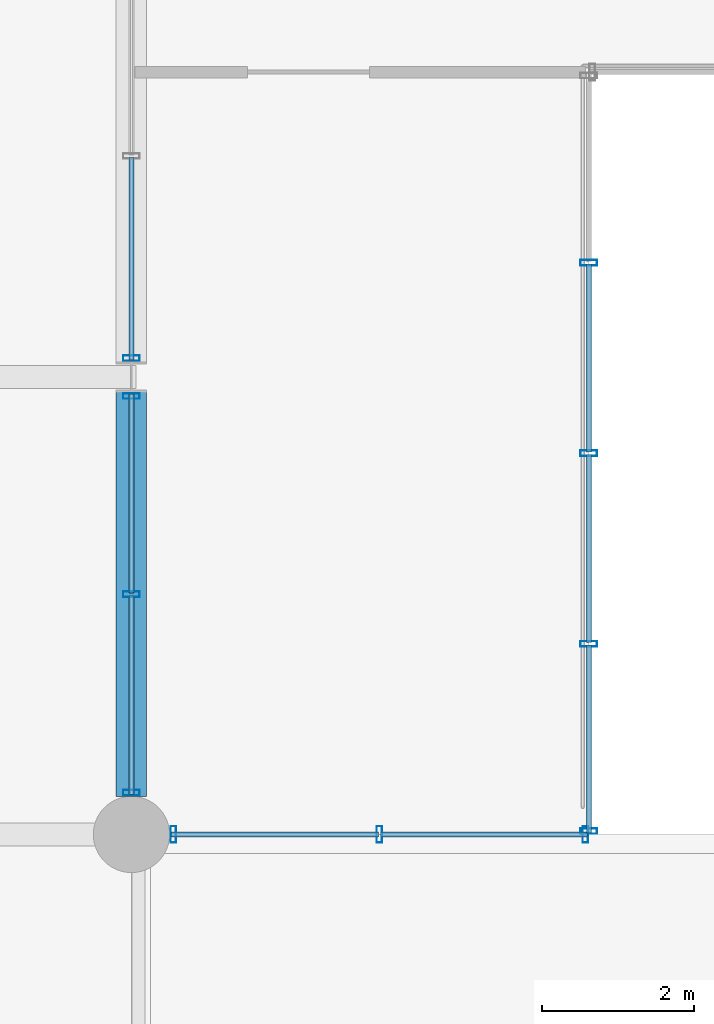
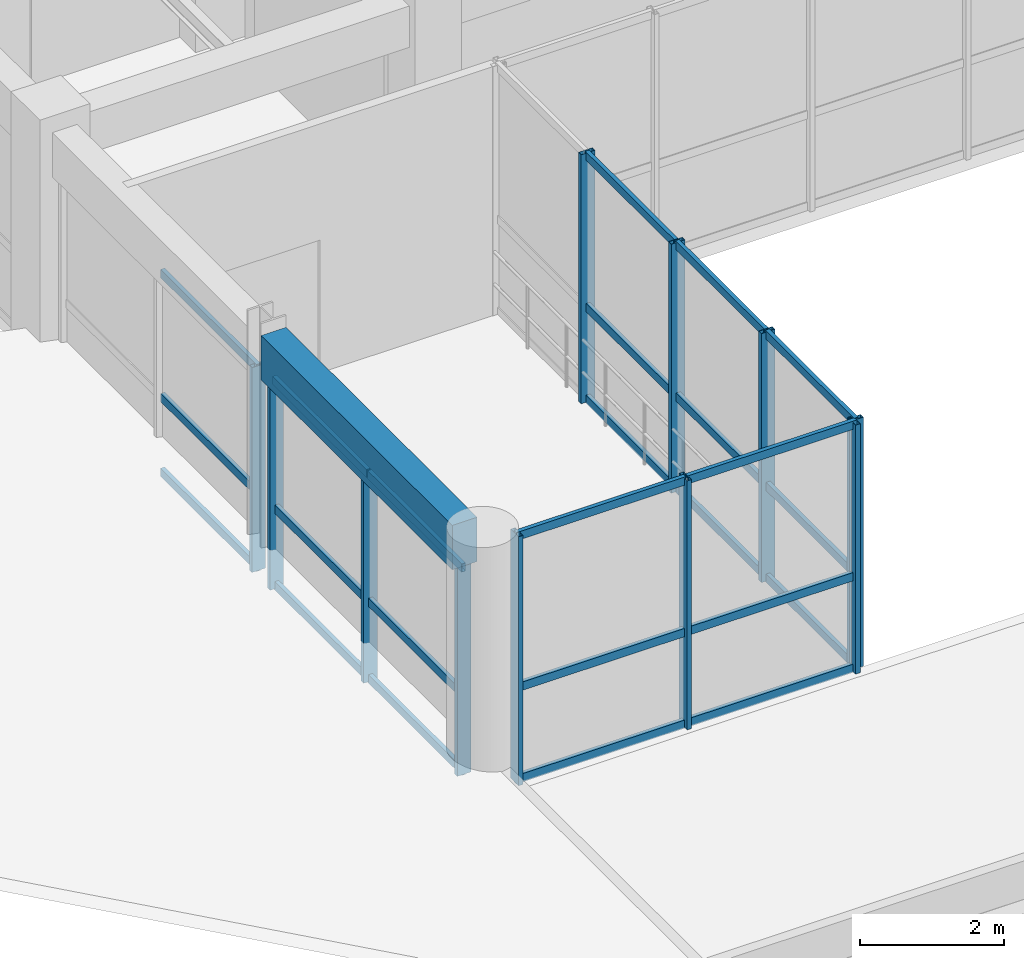
# One storey, part 19 of 133: 35 members, 1 beam, 4 elements without a shape of their own.
"""IFC4 building model written with IfcOpenShell, lengths in metres."""

from ifc_helpers import new_model, si_unit, direction, frame, origin, origin_2d, place, context, subcontext, project, spatial, rectangle, hollow_rectangle, extrude, material, material_profile, profile_set, type_object, element, aggregate, save


model = new_model("IFC4")

# Units and contexts
model_context = context("Model", 3, precision=1e-05, world=origin(), true_north=direction((0.0, 1.0)))
body_context = subcontext(model_context, "Body", "Model", "MODEL_VIEW")
ifc_project = project(units=[si_unit("LENGTHUNIT", "METRE"), si_unit("AREAUNIT", "SQUARE_METRE"), si_unit("VOLUMEUNIT", "CUBIC_METRE"), si_unit("PLANEANGLEUNIT", "RADIAN"), si_unit("MASSUNIT", "GRAM", prefix="KILO"), si_unit("THERMODYNAMICTEMPERATUREUNIT", "KELVIN"), si_unit("POWERUNIT", "WATT")], contexts=[model_context])

# Site, building, storey
site_placement = place(None, origin())
site = spatial("IfcSite", under=ifc_project, at=site_placement, CompositionType="ELEMENT")
building_placement = place(site_placement, origin())
building = spatial("IfcBuilding", under=site, at=building_placement, Name="Phaisarnlok Congress Hotel", CompositionType="ELEMENT")
storey_placement = place(building_placement, frame((0.0, 0.0, 6.0)))
storey = spatial("IfcBuildingStorey", under=building, at=storey_placement, Name="L01", CompositionType="ELEMENT", Elevation=6.0)

# Curtain wall, member
ifc_material_1 = material(Name="Thermally Broken Unitised Aluminium & Low-E Glazing", Category="aluminium")
curtain_wall_type_1 = type_object("IfcCurtainWallType", Name="CW-UNIT-14", PredefinedType="NOTDEFINED", material=ifc_material_1)
curtain_wall_1_placement = place(storey_placement, origin())
curtain_wall_1 = element("IfcCurtainWall", 1, at=curtain_wall_1_placement, inside=storey, type_object=curtain_wall_type_1, Name="Unitised curtain wall CW-14 (L01)", PredefinedType="NOTDEFINED")
ifc_material_2 = material(Name="Anodised Aluminium Alloy 6063-T6", Category="aluminium")
ifc_material_profile_1 = material_profile(ifc_material_2, hollow_rectangle(XDim=0.074951171875, YDim=0.219970703125, WallThickness=0.0048828125, at=origin_2d()), Name="ALU-M 75x220x5")
ifc_profile_set_1 = profile_set([ifc_material_profile_1], Name="Anodised Aluminium Alloy 6063-T6")
member_type_1 = type_object("IfcMemberType", Name="CWM-220", PredefinedType="MULLION", material=ifc_profile_set_1)
member_1_placement = place(storey_placement, frame((54.0, 30.24951171875, 0.0), z_axis=(0.0, 0.0, 1.0), x_axis=(0.0, -1.0, 0.0)))
member_1 = element("IfcMember", 2, at=member_1_placement, type_object=member_type_1, Name="Curtain wall mullion CWM-02", PredefinedType="MULLION", context=body_context, shape_type="SweptSolid", body=[
    extrude(hollow_rectangle(XDim=0.074951171875, YDim=0.219970703125, WallThickness=0.0048828125, at=origin_2d()), origin(), (0.0, 0.0, 1.0), 3.469970703125),
])

# Curtain wall, members
curtain_wall_type_2 = type_object("IfcCurtainWallType", Name="CW-UNIT-20", PredefinedType="NOTDEFINED", material=ifc_material_1)
curtain_wall_2_placement = place(storey_placement, origin())
curtain_wall_2 = element("IfcCurtainWall", 3, at=curtain_wall_2_placement, inside=storey, type_object=curtain_wall_type_2, Name="Unitised curtain wall CW-20 (L01)", PredefinedType="NOTDEFINED")
member_2_placement = place(storey_placement, frame((54.0, 29.75048828125, 0.0), z_axis=(0.0, 0.0, 1.0), x_axis=(0.0, -1.0, 0.0)))
member_2 = element("IfcMember", 4, at=member_2_placement, type_object=member_type_1, Name="Curtain wall mullion CWM-02", PredefinedType="MULLION", context=body_context, shape_type="SweptSolid", body=[
    extrude(hollow_rectangle(XDim=0.074951171875, YDim=0.219970703125, WallThickness=0.0048828125, at=origin_2d()), origin(), (0.0, 0.0, 1.0), 3.544921875),
])
member_3_placement = place(storey_placement, frame((54.0, 27.150146484375, 0.0), z_axis=(0.0, 0.0, 1.0), x_axis=(0.0, -1.0, 0.0)))
member_3 = element("IfcMember", 5, at=member_3_placement, type_object=member_type_1, Name="Curtain wall mullion CWM-02", PredefinedType="MULLION", context=body_context, shape_type="SweptSolid", body=[
    extrude(hollow_rectangle(XDim=0.074951171875, YDim=0.219970703125, WallThickness=0.0048828125, at=origin_2d()), origin(), (0.0, 0.0, 1.0), 3.544921875),
])
member_4_placement = place(storey_placement, frame((54.0, 24.550048828125, 0.0), z_axis=(0.0, 0.0, 1.0), x_axis=(0.0, -1.0, 0.0)))
member_4 = element("IfcMember", 6, at=member_4_placement, type_object=member_type_1, Name="Curtain wall mullion CWM-02", PredefinedType="MULLION", context=body_context, shape_type="SweptSolid", body=[
    extrude(hollow_rectangle(XDim=0.074951171875, YDim=0.219970703125, WallThickness=0.0048828125, at=origin_2d()), origin(), (0.0, 0.0, 1.0), 3.544921875),
])

curtain_wall_type_3 = type_object("IfcCurtainWallType", Name="CW-UNIT-21", PredefinedType="NOTDEFINED", material=ifc_material_1)
curtain_wall_3_placement = place(storey_placement, origin())
curtain_wall_3 = element("IfcCurtainWall", 7, at=curtain_wall_3_placement, inside=storey, type_object=curtain_wall_type_3, Name="Unitised curtain wall CW-21 (L01)", PredefinedType="NOTDEFINED")
member_5_placement = place(storey_placement, frame((54.550048828125, 24.0, 0.0), z_axis=(0.0, 0.0, 1.0), x_axis=(1.0, 0.0, 0.0)))
member_5 = element("IfcMember", 8, at=member_5_placement, type_object=member_type_1, Name="Curtain wall mullion CWM-02", PredefinedType="MULLION", context=body_context, shape_type="SweptSolid", body=[
    extrude(hollow_rectangle(XDim=0.074951171875, YDim=0.219970703125, WallThickness=0.0048828125, at=origin_2d()), origin(), (0.0, 0.0, 1.0), 4.219970703125),
])
member_6_placement = place(storey_placement, frame((57.25244140625, 24.0, 0.0), z_axis=(0.0, 0.0, 1.0), x_axis=(1.0, 0.0, 0.0)))
member_6 = element("IfcMember", 9, at=member_6_placement, type_object=member_type_1, Name="Curtain wall mullion CWM-02", PredefinedType="MULLION", context=body_context, shape_type="SweptSolid", body=[
    extrude(hollow_rectangle(XDim=0.074951171875, YDim=0.219970703125, WallThickness=0.0048828125, at=origin_2d()), origin(), (0.0, 0.0, 1.0), 4.219970703125),
])
member_7_placement = place(storey_placement, frame((59.955078125, 24.0, 0.0), z_axis=(0.0, 0.0, 1.0), x_axis=(1.0, 0.0, 0.0)))
member_7 = element("IfcMember", 10, at=member_7_placement, type_object=member_type_1, Name="Curtain wall mullion CWM-02", PredefinedType="MULLION", context=body_context, shape_type="SweptSolid", body=[
    extrude(hollow_rectangle(XDim=0.074951171875, YDim=0.219970703125, WallThickness=0.0048828125, at=origin_2d()), origin(), (0.0, 0.0, 1.0), 4.219970703125),
])

curtain_wall_type_4 = type_object("IfcCurtainWallType", Name="CW-UNIT-08", PredefinedType="NOTDEFINED", material=ifc_material_1)
curtain_wall_4_placement = place(storey_placement, origin())
curtain_wall_4 = element("IfcCurtainWall", 11, at=curtain_wall_4_placement, inside=storey, type_object=curtain_wall_type_4, Name="Unitised curtain wall CW-08 (L01)", PredefinedType="NOTDEFINED")
member_8_placement = place(storey_placement, frame((60.0, 24.044921875, 0.0), z_axis=(0.0, 0.0, 1.0), x_axis=(0.0, 1.0, 0.0)))
member_8 = element("IfcMember", 12, at=member_8_placement, type_object=member_type_1, Name="Curtain wall mullion CWM-02", PredefinedType="MULLION", context=body_context, shape_type="SweptSolid", body=[
    extrude(hollow_rectangle(XDim=0.074951171875, YDim=0.219970703125, WallThickness=0.0048828125, at=origin_2d()), origin(), (0.0, 0.0, 1.0), 4.219970703125),
])
member_9_placement = place(storey_placement, frame((60.0, 26.5, 0.0), z_axis=(0.0, 0.0, 1.0), x_axis=(0.0, 1.0, 0.0)))
member_9 = element("IfcMember", 13, at=member_9_placement, type_object=member_type_1, Name="Curtain wall mullion CWM-02", PredefinedType="MULLION", context=body_context, shape_type="SweptSolid", body=[
    extrude(hollow_rectangle(XDim=0.074951171875, YDim=0.219970703125, WallThickness=0.0048828125, at=origin_2d()), origin(), (0.0, 0.0, 1.0), 4.219970703125),
])
member_10_placement = place(storey_placement, frame((60.0, 29.0, 0.0), z_axis=(0.0, 0.0, 1.0), x_axis=(0.0, 1.0, 0.0)))
member_10 = element("IfcMember", 14, at=member_10_placement, type_object=member_type_1, Name="Curtain wall mullion CWM-02", PredefinedType="MULLION", context=body_context, shape_type="SweptSolid", body=[
    extrude(hollow_rectangle(XDim=0.074951171875, YDim=0.219970703125, WallThickness=0.0048828125, at=origin_2d()), origin(), (0.0, 0.0, 1.0), 4.219970703125),
])
member_11_placement = place(storey_placement, frame((60.0, 31.5, 0.0), z_axis=(0.0, 0.0, 1.0), x_axis=(0.0, 1.0, 0.0)))
member_11 = element("IfcMember", 15, at=member_11_placement, type_object=member_type_1, Name="Curtain wall mullion CWM-02", PredefinedType="MULLION", context=body_context, shape_type="SweptSolid", body=[
    extrude(hollow_rectangle(XDim=0.074951171875, YDim=0.219970703125, WallThickness=0.0048828125, at=origin_2d()), origin(), (0.0, 0.0, 1.0), 4.219970703125),
])

# Member
ifc_material_profile_2 = material_profile(ifc_material_2, hollow_rectangle(XDim=0.06494140625, YDim=0.139892578125, WallThickness=0.00390625, at=origin_2d()), Name="ALU-T 65x140x4")
ifc_profile_set_2 = profile_set([ifc_material_profile_2], Name="Anodised Aluminium Alloy 6063-T6")
member_type_2 = type_object("IfcMemberType", Name="CWT-150", PredefinedType="USERDEFINED", material=ifc_profile_set_2)
member_12_placement = place(storey_placement, frame((54.0, 32.884765625, 0.050048828125), z_axis=(0.0, -1.0, 0.0), x_axis=(1.0, 0.0, 0.0)))
member_12 = element("IfcMember", 16, at=member_12_placement, type_object=member_type_2, Name="Curtain wall transom CWT-01", ObjectType="TRANSOM", PredefinedType="USERDEFINED", context=body_context, shape_type="SweptSolid", body=[
    extrude(hollow_rectangle(XDim=0.06494140625, YDim=0.139892578125, WallThickness=0.00390625, at=origin_2d()), origin(), (0.0, 0.0, 1.0), 2.66015625),
])

member_13_placement = place(storey_placement, frame((54.0, 32.884765625, 1.318603515625), z_axis=(0.0, -1.0, 0.0), x_axis=(1.0, 0.0, 0.0)))
member_13 = element("IfcMember", 17, at=member_13_placement, type_object=member_type_2, Name="Curtain wall transom CWT-01", ObjectType="TRANSOM", PredefinedType="USERDEFINED", context=body_context, shape_type="SweptSolid", body=[
    extrude(hollow_rectangle(XDim=0.06494140625, YDim=0.139892578125, WallThickness=0.00390625, at=origin_2d()), origin(), (0.0, 0.0, 1.0), 2.66015625),
])

member_14_placement = place(storey_placement, frame((54.0, 32.884765625, 3.419921875), z_axis=(0.0, -1.0, 0.0), x_axis=(1.0, 0.0, 0.0)))
member_14 = element("IfcMember", 18, at=member_14_placement, type_object=member_type_2, Name="Curtain wall transom CWT-01", ObjectType="TRANSOM", PredefinedType="USERDEFINED", context=body_context, shape_type="SweptSolid", body=[
    extrude(hollow_rectangle(XDim=0.06494140625, YDim=0.139892578125, WallThickness=0.00390625, at=origin_2d()), origin(), (0.0, 0.0, 1.0), 2.66015625),
])

aggregate(curtain_wall_1, [member_1, member_12, member_13, member_14])

member_15_placement = place(storey_placement, frame((54.0, 29.775390625, 0.050048828125), z_axis=(0.0, -1.0, 0.0), x_axis=(1.0, 0.0, 0.0)))
member_15 = element("IfcMember", 19, at=member_15_placement, type_object=member_type_2, Name="Curtain wall transom CWT-01", ObjectType="TRANSOM", PredefinedType="USERDEFINED", context=body_context, shape_type="SweptSolid", body=[
    extrude(hollow_rectangle(XDim=0.06494140625, YDim=0.139892578125, WallThickness=0.00390625, at=origin_2d()), origin(), (0.0, 0.0, 1.0), 2.610107421875),
])

member_16_placement = place(storey_placement, frame((54.0, 29.775390625, 1.34716796875), z_axis=(0.0, -1.0, 0.0), x_axis=(1.0, 0.0, 0.0)))
member_16 = element("IfcMember", 20, at=member_16_placement, type_object=member_type_2, Name="Curtain wall transom CWT-01", ObjectType="TRANSOM", PredefinedType="USERDEFINED", context=body_context, shape_type="SweptSolid", body=[
    extrude(hollow_rectangle(XDim=0.06494140625, YDim=0.139892578125, WallThickness=0.00390625, at=origin_2d()), origin(), (0.0, 0.0, 1.0), 2.610107421875),
])

member_17_placement = place(storey_placement, frame((54.0, 29.775390625, 3.4951171875), z_axis=(0.0, -1.0, 0.0), x_axis=(1.0, 0.0, 0.0)))
member_17 = element("IfcMember", 21, at=member_17_placement, type_object=member_type_2, Name="Curtain wall transom CWT-01", ObjectType="TRANSOM", PredefinedType="USERDEFINED", context=body_context, shape_type="SweptSolid", body=[
    extrude(hollow_rectangle(XDim=0.06494140625, YDim=0.139892578125, WallThickness=0.00390625, at=origin_2d()), origin(), (0.0, 0.0, 1.0), 2.610107421875),
])

member_18_placement = place(storey_placement, frame((54.0, 27.13525390625, 0.050048828125), z_axis=(0.0, -1.0, 0.0), x_axis=(1.0, 0.0, 0.0)))
member_18 = element("IfcMember", 22, at=member_18_placement, type_object=member_type_2, Name="Curtain wall transom CWT-01", ObjectType="TRANSOM", PredefinedType="USERDEFINED", context=body_context, shape_type="SweptSolid", body=[
    extrude(hollow_rectangle(XDim=0.06494140625, YDim=0.139892578125, WallThickness=0.00390625, at=origin_2d()), origin(), (0.0, 0.0, 1.0), 2.6103515625),
])

member_19_placement = place(storey_placement, frame((54.0, 27.13525390625, 1.34716796875), z_axis=(0.0, -1.0, 0.0), x_axis=(1.0, 0.0, 0.0)))
member_19 = element("IfcMember", 23, at=member_19_placement, type_object=member_type_2, Name="Curtain wall transom CWT-01", ObjectType="TRANSOM", PredefinedType="USERDEFINED", context=body_context, shape_type="SweptSolid", body=[
    extrude(hollow_rectangle(XDim=0.06494140625, YDim=0.139892578125, WallThickness=0.00390625, at=origin_2d()), origin(), (0.0, 0.0, 1.0), 2.6103515625),
])

member_20_placement = place(storey_placement, frame((54.0, 27.13525390625, 3.4951171875), z_axis=(0.0, -1.0, 0.0), x_axis=(1.0, 0.0, 0.0)))
member_20 = element("IfcMember", 24, at=member_20_placement, type_object=member_type_2, Name="Curtain wall transom CWT-01", ObjectType="TRANSOM", PredefinedType="USERDEFINED", context=body_context, shape_type="SweptSolid", body=[
    extrude(hollow_rectangle(XDim=0.06494140625, YDim=0.139892578125, WallThickness=0.00390625, at=origin_2d()), origin(), (0.0, 0.0, 1.0), 2.6103515625),
])

aggregate(curtain_wall_2, [member_2, member_3, member_4, member_15, member_16, member_17, member_18, member_19, member_20])

member_21_placement = place(storey_placement, frame((54.52490234375, 24.0, 0.050048828125), z_axis=(1.0, 0.0, 0.0), x_axis=(0.0, 1.0, 0.0)))
member_21 = element("IfcMember", 25, at=member_21_placement, type_object=member_type_2, Name="Curtain wall transom CWT-01", ObjectType="TRANSOM", PredefinedType="USERDEFINED", context=body_context, shape_type="SweptSolid", body=[
    extrude(hollow_rectangle(XDim=0.06494140625, YDim=0.139892578125, WallThickness=0.00390625, at=origin_2d()), origin(), (0.0, 0.0, 1.0), 2.712646484375),
])

member_22_placement = place(storey_placement, frame((54.52490234375, 24.0, 1.603515625), z_axis=(1.0, 0.0, 0.0), x_axis=(0.0, 1.0, 0.0)))
member_22 = element("IfcMember", 26, at=member_22_placement, type_object=member_type_2, Name="Curtain wall transom CWT-01", ObjectType="TRANSOM", PredefinedType="USERDEFINED", context=body_context, shape_type="SweptSolid", body=[
    extrude(hollow_rectangle(XDim=0.06494140625, YDim=0.139892578125, WallThickness=0.00390625, at=origin_2d()), origin(), (0.0, 0.0, 1.0), 2.712646484375),
])

member_23_placement = place(storey_placement, frame((54.52490234375, 24.0, 4.169921875), z_axis=(1.0, 0.0, 0.0), x_axis=(0.0, 1.0, 0.0)))
member_23 = element("IfcMember", 27, at=member_23_placement, type_object=member_type_2, Name="Curtain wall transom CWT-01", ObjectType="TRANSOM", PredefinedType="USERDEFINED", context=body_context, shape_type="SweptSolid", body=[
    extrude(hollow_rectangle(XDim=0.06494140625, YDim=0.139892578125, WallThickness=0.00390625, at=origin_2d()), origin(), (0.0, 0.0, 1.0), 2.712646484375),
])

member_24_placement = place(storey_placement, frame((57.267578125, 24.0, 0.050048828125), z_axis=(1.0, 0.0, 0.0), x_axis=(0.0, 1.0, 0.0)))
member_24 = element("IfcMember", 28, at=member_24_placement, type_object=member_type_2, Name="Curtain wall transom CWT-01", ObjectType="TRANSOM", PredefinedType="USERDEFINED", context=body_context, shape_type="SweptSolid", body=[
    extrude(hollow_rectangle(XDim=0.06494140625, YDim=0.139892578125, WallThickness=0.00390625, at=origin_2d()), origin(), (0.0, 0.0, 1.0), 2.71240234375),
])

member_25_placement = place(storey_placement, frame((57.267578125, 24.0, 1.603515625), z_axis=(1.0, 0.0, 0.0), x_axis=(0.0, 1.0, 0.0)))
member_25 = element("IfcMember", 29, at=member_25_placement, type_object=member_type_2, Name="Curtain wall transom CWT-01", ObjectType="TRANSOM", PredefinedType="USERDEFINED", context=body_context, shape_type="SweptSolid", body=[
    extrude(hollow_rectangle(XDim=0.06494140625, YDim=0.139892578125, WallThickness=0.00390625, at=origin_2d()), origin(), (0.0, 0.0, 1.0), 2.71240234375),
])

member_26_placement = place(storey_placement, frame((57.267578125, 24.0, 4.169921875), z_axis=(1.0, 0.0, 0.0), x_axis=(0.0, 1.0, 0.0)))
member_26 = element("IfcMember", 30, at=member_26_placement, type_object=member_type_2, Name="Curtain wall transom CWT-01", ObjectType="TRANSOM", PredefinedType="USERDEFINED", context=body_context, shape_type="SweptSolid", body=[
    extrude(hollow_rectangle(XDim=0.06494140625, YDim=0.139892578125, WallThickness=0.00390625, at=origin_2d()), origin(), (0.0, 0.0, 1.0), 2.71240234375),
])

aggregate(curtain_wall_3, [member_5, member_6, member_7, member_21, member_22, member_23, member_24, member_25, member_26])

member_27_placement = place(storey_placement, frame((60.0, 24.02001953125, 0.050048828125), z_axis=(0.0, 1.0, 0.0), x_axis=(-1.0, 0.0, 0.0)))
member_27 = element("IfcMember", 31, at=member_27_placement, type_object=member_type_2, Name="Curtain wall transom CWT-01", ObjectType="TRANSOM", PredefinedType="USERDEFINED", context=body_context, shape_type="SweptSolid", body=[
    extrude(hollow_rectangle(XDim=0.06494140625, YDim=0.139892578125, WallThickness=0.00390625, at=origin_2d()), origin(), (0.0, 0.0, 1.0), 2.465087890625),
])

member_28_placement = place(storey_placement, frame((60.0, 24.02001953125, 1.603515625), z_axis=(0.0, 1.0, 0.0), x_axis=(-1.0, 0.0, 0.0)))
member_28 = element("IfcMember", 32, at=member_28_placement, type_object=member_type_2, Name="Curtain wall transom CWT-01", ObjectType="TRANSOM", PredefinedType="USERDEFINED", context=body_context, shape_type="SweptSolid", body=[
    extrude(hollow_rectangle(XDim=0.06494140625, YDim=0.139892578125, WallThickness=0.00390625, at=origin_2d()), origin(), (0.0, 0.0, 1.0), 2.465087890625),
])

member_29_placement = place(storey_placement, frame((60.0, 24.02001953125, 4.169921875), z_axis=(0.0, 1.0, 0.0), x_axis=(-1.0, 0.0, 0.0)))
member_29 = element("IfcMember", 33, at=member_29_placement, type_object=member_type_2, Name="Curtain wall transom CWT-01", ObjectType="TRANSOM", PredefinedType="USERDEFINED", context=body_context, shape_type="SweptSolid", body=[
    extrude(hollow_rectangle(XDim=0.06494140625, YDim=0.139892578125, WallThickness=0.00390625, at=origin_2d()), origin(), (0.0, 0.0, 1.0), 2.465087890625),
])

member_30_placement = place(storey_placement, frame((60.0, 26.514892578125, 0.050048828125), z_axis=(0.0, 1.0, 0.0), x_axis=(-1.0, 0.0, 0.0)))
member_30 = element("IfcMember", 34, at=member_30_placement, type_object=member_type_2, Name="Curtain wall transom CWT-01", ObjectType="TRANSOM", PredefinedType="USERDEFINED", context=body_context, shape_type="SweptSolid", body=[
    extrude(hollow_rectangle(XDim=0.06494140625, YDim=0.139892578125, WallThickness=0.00390625, at=origin_2d()), origin(), (0.0, 0.0, 1.0), 2.47021484375),
])

member_31_placement = place(storey_placement, frame((60.0, 26.514892578125, 1.603515625), z_axis=(0.0, 1.0, 0.0), x_axis=(-1.0, 0.0, 0.0)))
member_31 = element("IfcMember", 35, at=member_31_placement, type_object=member_type_2, Name="Curtain wall transom CWT-01", ObjectType="TRANSOM", PredefinedType="USERDEFINED", context=body_context, shape_type="SweptSolid", body=[
    extrude(hollow_rectangle(XDim=0.06494140625, YDim=0.139892578125, WallThickness=0.00390625, at=origin_2d()), origin(), (0.0, 0.0, 1.0), 2.47021484375),
])

member_32_placement = place(storey_placement, frame((60.0, 26.514892578125, 4.169921875), z_axis=(0.0, 1.0, 0.0), x_axis=(-1.0, 0.0, 0.0)))
member_32 = element("IfcMember", 36, at=member_32_placement, type_object=member_type_2, Name="Curtain wall transom CWT-01", ObjectType="TRANSOM", PredefinedType="USERDEFINED", context=body_context, shape_type="SweptSolid", body=[
    extrude(hollow_rectangle(XDim=0.06494140625, YDim=0.139892578125, WallThickness=0.00390625, at=origin_2d()), origin(), (0.0, 0.0, 1.0), 2.47021484375),
])

member_33_placement = place(storey_placement, frame((60.0, 29.014892578125, 0.050048828125), z_axis=(0.0, 1.0, 0.0), x_axis=(-1.0, 0.0, 0.0)))
member_33 = element("IfcMember", 37, at=member_33_placement, type_object=member_type_2, Name="Curtain wall transom CWT-01", ObjectType="TRANSOM", PredefinedType="USERDEFINED", context=body_context, shape_type="SweptSolid", body=[
    extrude(hollow_rectangle(XDim=0.06494140625, YDim=0.139892578125, WallThickness=0.00390625, at=origin_2d()), origin(), (0.0, 0.0, 1.0), 2.47021484375),
])

member_34_placement = place(storey_placement, frame((60.0, 29.014892578125, 1.603515625), z_axis=(0.0, 1.0, 0.0), x_axis=(-1.0, 0.0, 0.0)))
member_34 = element("IfcMember", 38, at=member_34_placement, type_object=member_type_2, Name="Curtain wall transom CWT-01", ObjectType="TRANSOM", PredefinedType="USERDEFINED", context=body_context, shape_type="SweptSolid", body=[
    extrude(hollow_rectangle(XDim=0.06494140625, YDim=0.139892578125, WallThickness=0.00390625, at=origin_2d()), origin(), (0.0, 0.0, 1.0), 2.47021484375),
])

member_35_placement = place(storey_placement, frame((60.0, 29.014892578125, 4.169921875), z_axis=(0.0, 1.0, 0.0), x_axis=(-1.0, 0.0, 0.0)))
member_35 = element("IfcMember", 39, at=member_35_placement, type_object=member_type_2, Name="Curtain wall transom CWT-01", ObjectType="TRANSOM", PredefinedType="USERDEFINED", context=body_context, shape_type="SweptSolid", body=[
    extrude(hollow_rectangle(XDim=0.06494140625, YDim=0.139892578125, WallThickness=0.00390625, at=origin_2d()), origin(), (0.0, 0.0, 1.0), 2.47021484375),
])

aggregate(curtain_wall_4, [member_8, member_9, member_10, member_11, member_27, member_28, member_29, member_30, member_31, member_32, member_33, member_34, member_35])

# Beam
ifc_material_3 = material(Name="Concrete C40/50", Category="concrete")
ifc_material_profile_3 = material_profile(ifc_material_3, rectangle(XDim=0.39990234375, YDim=0.75, at=origin_2d()), Name="RC 400x750")
ifc_profile_set_3 = profile_set([ifc_material_profile_3], Name="Concrete C40/50")
beam_type = type_object("IfcBeamType", Name="SP-RC-400x750", PredefinedType="SPANDREL", material=ifc_profile_set_3)
beam_placement = place(storey_placement, frame((54.0, 24.4951171875, 3.919921875), z_axis=(0.0, 1.0, 0.0), x_axis=(-1.0, 0.0, 0.0)))
element("IfcBeam", 40, at=beam_placement, inside=storey, type_object=beam_type, Name="Beam SP-02", PredefinedType="SPANDREL", context=body_context, shape_type="SweptSolid", body=[
    extrude(rectangle(XDim=0.39990234375, YDim=0.75, at=origin_2d()), origin(), (0.0, 0.0, 1.0), 5.310302734375),
])

save(model, "model.ifc")
